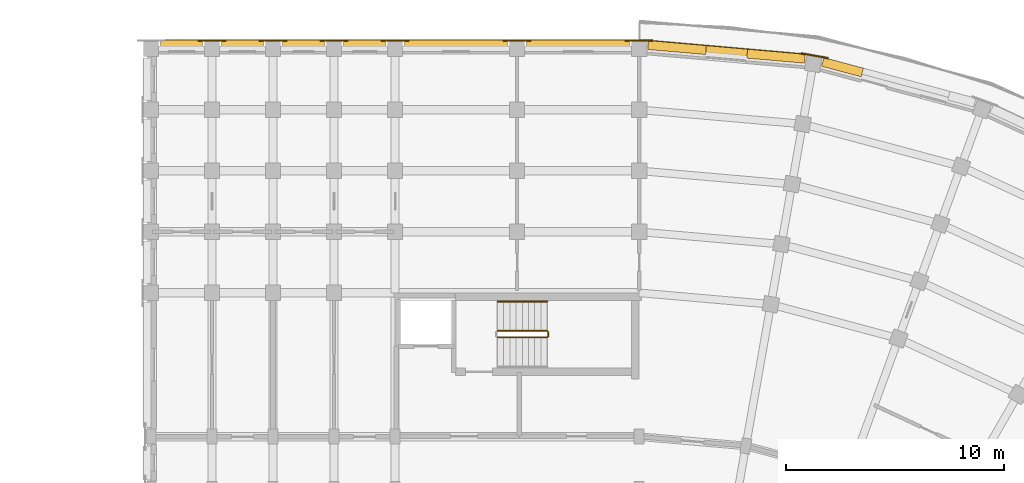
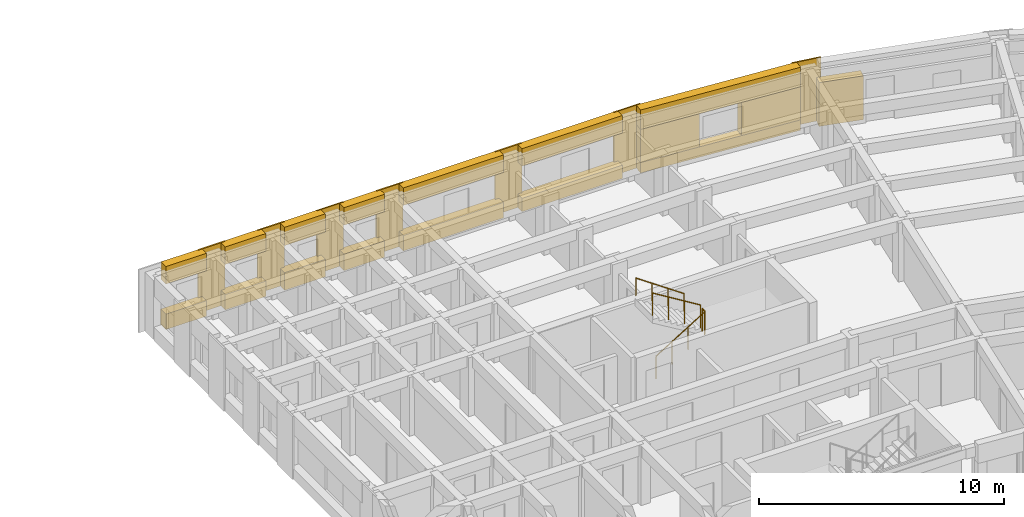
# One storey, part 54 of 57: 24 coverings, 4 railings.
"""IFC4 building model written with IfcOpenShell, lengths in metres."""

from ifc_helpers import new_model, si_unit, direction, frame, origin, origin_2d, place, context, subcontext, project, spatial, polyline, circle, outline, extrude, material, layer, layer_set, type_object, element, save


model = new_model("IFC4")

# Units and contexts
model_context = context("Model", 3, precision=1e-05, world=origin(), true_north=direction((0.0, 1.0)))
body_context = subcontext(model_context, "Body", "Model", "MODEL_VIEW")
ifc_project = project(units=[si_unit("LENGTHUNIT", "METRE"), si_unit("AREAUNIT", "SQUARE_METRE"), si_unit("VOLUMEUNIT", "CUBIC_METRE"), si_unit("PLANEANGLEUNIT", "RADIAN"), si_unit("MASSUNIT", "GRAM", prefix="KILO")], contexts=[model_context])

# Site, building, storey
site_placement = place(None, origin())
site = spatial("IfcSite", under=ifc_project, at=site_placement, CompositionType="ELEMENT")
building_placement = place(site_placement, origin())
building = spatial("IfcBuilding", under=site, at=building_placement, Name="Kiranvali Square Residences", CompositionType="ELEMENT")
storey_placement = place(building_placement, frame((0.0, 0.0, 24.449951171875)))
storey = spatial("IfcBuildingStorey", under=building, at=storey_placement, Name="L07", CompositionType="ELEMENT", Elevation=24.449951171875)

# Coverings
ifc_material_1 = material(Name="Honed Porbandar limestone ashlar facade cladding", Category="masonry")
ifc_layer_1 = layer(ifc_material_1, 0.3798828125)
ifc_layer_set_1 = layer_set([ifc_layer_1], Name="Honed Porbandar limestone ashlar facade cladding")
covering_type_1 = type_object("IfcCoveringType", Name="COV-CLAD-JAMB", PredefinedType="CLADDING", material=ifc_layer_set_1)
covering_1_placement = place(storey_placement, frame((0.0, 0.0, 0.52197265625)))
element("IfcCovering", 1, at=covering_1_placement, inside=storey, type_object=covering_type_1, Name="L07 deep limestone window jamb reveal B-L07-CRV-00.L", PredefinedType="CLADDING", context=body_context, shape_type="SweptSolid", body=[
    extrude(outline(polyline([(120.198486328125, 133.765625), (122.84765625, 133.533935546875), (122.88330078125, 133.94189453125), (120.234130859375, 134.173583984375), (120.198486328125, 133.765625)])), origin(), (0.0, 0.0, 1.0), 1.650146484375),
])
covering_2_placement = place(storey_placement, frame((0.0, 0.0, 0.52197265625)))
element("IfcCovering", 2, at=covering_2_placement, inside=storey, type_object=covering_type_1, Name="L07 deep limestone window jamb reveal B-L07-CRV-00.R", PredefinedType="CLADDING", context=body_context, shape_type="SweptSolid", body=[
    extrude(outline(polyline([(124.740234375, 133.3681640625), (127.389404296875, 133.136474609375), (127.425048828125, 133.54443359375), (124.776123046875, 133.776123046875), (124.740234375, 133.3681640625)])), origin(), (0.0, 0.0, 1.0), 1.650146484375),
])
covering_3_placement = place(storey_placement, origin())
element("IfcCovering", 3, at=covering_3_placement, inside=storey, type_object=covering_type_1, Name="L07 deep limestone window jamb reveal B-L07-CRV-01.L", PredefinedType="CLADDING", context=body_context, shape_type="SweptSolid", body=[
    extrude(outline(polyline([(128.17431640625, 132.998046875), (129.98681640625, 132.512451171875), (130.0927734375, 132.907958984375), (128.2802734375, 133.3935546875), (128.17431640625, 132.998046875)])), origin(), (0.0, 0.0, 1.0), 2.179931640625),
])
ifc_layer_2 = layer(ifc_material_1, 0.06494140625)
ifc_layer_set_2 = layer_set([ifc_layer_2], Name="Honed Porbandar limestone ashlar facade cladding")
covering_type_2 = type_object("IfcCoveringType", Name="COV-CLAD-PIER", PredefinedType="CLADDING", material=ifc_layer_set_2)
covering_4_placement = place(storey_placement, frame((0.0, 0.0, 0.005126953125)))
element("IfcCovering", 4, at=covering_4_placement, inside=storey, type_object=covering_type_2, Name="L07 Classical limestone corner pilaster CLAD-PR-B-L07-A00", PredefinedType="CLADDING", context=body_context, shape_type="SweptSolid", body=[
    extrude(outline(polyline([(120.429931640625, 134.218017578125), (119.169921875, 134.218017578125), (119.169921875, 134.150390625), (120.429931640625, 134.150390625), (120.429931640625, 134.218017578125)])), origin(), (0.0, 0.0, 1.0), 3.139892578125),
])
covering_5_placement = place(storey_placement, frame((0.0, 0.0, 0.005126953125)))
element("IfcCovering", 5, at=covering_5_placement, inside=storey, type_object=covering_type_2, Name="L07 Classical limestone corner pilaster CLAD-PR-B-L07-A01", PredefinedType="CLADDING", context=body_context, shape_type="SweptSolid", body=[
    extrude(outline(polyline([(128.480712890625, 133.4033203125), (127.239990234375, 133.622314453125), (127.228271484375, 133.5556640625), (128.468994140625, 133.3369140625), (128.480712890625, 133.4033203125)])), origin(), (0.0, 0.0, 1.0), 3.139892578125),
])
covering_6_placement = place(storey_placement, frame((0.0, 0.0, 0.005126953125)))
element("IfcCovering", 6, at=covering_6_placement, inside=storey, type_object=covering_type_2, Name="L07 Classical limestone pilaster casing CLAD-PR-B-L07-U56", PredefinedType="CLADDING", context=body_context, shape_type="SweptSolid", body=[
    extrude(outline(polyline([(114.830078125, 134.218017578125), (113.570068359375, 134.218017578125), (113.570068359375, 134.150390625), (114.830078125, 134.150390625), (114.830078125, 134.218017578125)])), origin(), (0.0, 0.0, 1.0), 3.139892578125),
])
covering_7_placement = place(storey_placement, frame((0.0, 0.0, 0.005126953125)))
element("IfcCovering", 7, at=covering_7_placement, inside=storey, type_object=covering_type_2, Name="L07 Classical limestone pilaster casing CLAD-PR-B-L07-U112", PredefinedType="CLADDING", context=body_context, shape_type="SweptSolid", body=[
    extrude(outline(polyline([(109.22998046875, 134.218017578125), (107.969970703125, 134.218017578125), (107.969970703125, 134.150390625), (109.22998046875, 134.150390625), (109.22998046875, 134.218017578125)])), origin(), (0.0, 0.0, 1.0), 3.139892578125),
])
covering_8_placement = place(storey_placement, frame((0.0, 0.0, 0.005126953125)))
element("IfcCovering", 8, at=covering_8_placement, inside=storey, type_object=covering_type_2, Name="L07 Classical limestone pilaster casing CLAD-PR-B-L07-U140", PredefinedType="CLADDING", context=body_context, shape_type="SweptSolid", body=[
    extrude(outline(polyline([(106.429931640625, 134.218017578125), (105.169921875, 134.218017578125), (105.169921875, 134.150390625), (106.429931640625, 134.150390625), (106.429931640625, 134.218017578125)])), origin(), (0.0, 0.0, 1.0), 3.139892578125),
])
covering_9_placement = place(storey_placement, frame((0.0, 0.0, 0.005126953125)))
element("IfcCovering", 9, at=covering_9_placement, inside=storey, type_object=covering_type_2, Name="L07 Classical limestone pilaster casing CLAD-PR-B-L07-U167", PredefinedType="CLADDING", context=body_context, shape_type="SweptSolid", body=[
    extrude(outline(polyline([(103.6298828125, 134.218017578125), (102.3701171875, 134.218017578125), (102.3701171875, 134.150390625), (103.6298828125, 134.150390625), (103.6298828125, 134.218017578125)])), origin(), (0.0, 0.0, 1.0), 3.139892578125),
])
covering_10_placement = place(storey_placement, frame((0.0, 0.0, 0.005126953125)))
element("IfcCovering", 10, at=covering_10_placement, inside=storey, type_object=covering_type_2, Name="L07 Classical limestone pilaster casing CLAD-PR-B-L07-U195", PredefinedType="CLADDING", context=body_context, shape_type="SweptSolid", body=[
    extrude(outline(polyline([(100.830078125, 134.218017578125), (99.570068359375, 134.218017578125), (99.570068359375, 134.150390625), (100.830078125, 134.150390625), (100.830078125, 134.218017578125)])), origin(), (0.0, 0.0, 1.0), 3.139892578125),
])
ifc_layer_3 = layer(ifc_material_1, 0.360107421875)
ifc_layer_set_3 = layer_set([ifc_layer_3], Name="Honed Porbandar limestone ashlar facade cladding")
covering_type_3 = type_object("IfcCoveringType", Name="COV-CLAD-WALL", PredefinedType="CLADDING", material=ifc_layer_set_3)
covering_11_placement = place(storey_placement, frame((0.0, 0.0, 2.172119140625)))
element("IfcCovering", 11, at=covering_11_placement, inside=storey, type_object=covering_type_3, Name="L07 light limestone spandrel lintel B-L07-CRV-00", PredefinedType="CLADDING", context=body_context, shape_type="SweptSolid", body=[
    extrude(outline(polyline([(120.198486328125, 133.765625), (127.389404296875, 133.136474609375), (127.425048828125, 133.54443359375), (120.234130859375, 134.173583984375), (120.198486328125, 133.765625)])), origin(), (0.0, 0.0, 1.0), 0.972900390625),
])
covering_12_placement = place(storey_placement, frame((0.0, 0.0, 0.005126953125)))
element("IfcCovering", 12, at=covering_12_placement, inside=storey, type_object=covering_type_3, Name="L07 limestone window sill apron B-L07-CRV-00", PredefinedType="CLADDING", context=body_context, shape_type="SweptSolid", body=[
    extrude(outline(polyline([(120.198486328125, 133.765625), (127.389404296875, 133.136474609375), (127.427734375, 133.57421875), (120.23681640625, 134.203369140625), (120.198486328125, 133.765625)])), origin(), (0.0, 0.0, 1.0), 0.516845703125),
])
covering_13_placement = place(storey_placement, frame((0.0, 0.0, 2.27197265625)))
element("IfcCovering", 13, at=covering_13_placement, inside=storey, type_object=covering_type_3, Name="L07 light limestone spandrel lintel B-L07-A1O-0", PredefinedType="CLADDING", context=body_context, shape_type="SweptSolid", body=[
    extrude(outline(polyline([(119.360107421875, 134.199951171875), (114.639892578125, 134.199951171875), (114.639892578125, 133.800537109375), (119.360107421875, 133.800537109375), (119.360107421875, 134.199951171875)])), origin(), (0.0, 0.0, 1.0), 0.873046875),
])
covering_14_placement = place(storey_placement, frame((0.0, 0.0, 0.005126953125)))
element("IfcCovering", 14, at=covering_14_placement, inside=storey, type_object=covering_type_3, Name="L07 limestone window sill apron B-L07-A1O-0", PredefinedType="CLADDING", context=body_context, shape_type="SweptSolid", body=[
    extrude(outline(polyline([(119.360107421875, 134.22998046875), (114.639892578125, 134.22998046875), (114.639892578125, 133.800537109375), (119.360107421875, 133.800537109375), (119.360107421875, 134.22998046875)])), origin(), (0.0, 0.0, 1.0), 0.6669921875),
])
covering_15_placement = place(storey_placement, frame((0.0, 0.0, 2.27197265625)))
element("IfcCovering", 15, at=covering_15_placement, inside=storey, type_object=covering_type_3, Name="L07 light limestone spandrel lintel B-L07-A1O-1", PredefinedType="CLADDING", context=body_context, shape_type="SweptSolid", body=[
    extrude(outline(polyline([(113.760009765625, 134.199951171875), (109.0400390625, 134.199951171875), (109.0400390625, 133.800537109375), (113.760009765625, 133.800537109375), (113.760009765625, 134.199951171875)])), origin(), (0.0, 0.0, 1.0), 0.873046875),
])
covering_16_placement = place(storey_placement, frame((0.0, 0.0, 0.005126953125)))
element("IfcCovering", 16, at=covering_16_placement, inside=storey, type_object=covering_type_3, Name="L07 limestone window sill apron B-L07-A1O-1", PredefinedType="CLADDING", context=body_context, shape_type="SweptSolid", body=[
    extrude(outline(polyline([(113.760009765625, 134.22998046875), (109.0400390625, 134.22998046875), (109.0400390625, 133.800537109375), (113.760009765625, 133.800537109375), (113.760009765625, 134.22998046875)])), origin(), (0.0, 0.0, 1.0), 0.766845703125),
])
covering_17_placement = place(storey_placement, frame((0.0, 0.0, 2.27197265625)))
element("IfcCovering", 17, at=covering_17_placement, inside=storey, type_object=covering_type_3, Name="L07 light limestone spandrel lintel B-L07-A1O-2", PredefinedType="CLADDING", context=body_context, shape_type="SweptSolid", body=[
    extrude(outline(polyline([(108.159912109375, 134.199951171875), (106.239990234375, 134.199951171875), (106.239990234375, 133.800537109375), (108.159912109375, 133.800537109375), (108.159912109375, 134.199951171875)])), origin(), (0.0, 0.0, 1.0), 0.873046875),
])
covering_18_placement = place(storey_placement, frame((0.0, 0.0, 0.005126953125)))
element("IfcCovering", 18, at=covering_18_placement, inside=storey, type_object=covering_type_3, Name="L07 limestone window sill apron B-L07-A1O-2", PredefinedType="CLADDING", context=body_context, shape_type="SweptSolid", body=[
    extrude(outline(polyline([(108.159912109375, 134.22998046875), (106.239990234375, 134.22998046875), (106.239990234375, 133.800537109375), (108.159912109375, 133.800537109375), (108.159912109375, 134.22998046875)])), origin(), (0.0, 0.0, 1.0), 0.81689453125),
])
covering_19_placement = place(storey_placement, frame((0.0, 0.0, 2.22998046875)))
element("IfcCovering", 19, at=covering_19_placement, inside=storey, type_object=covering_type_3, Name="L07 light limestone spandrel lintel B-L07-A1O-3", PredefinedType="CLADDING", context=body_context, shape_type="SweptSolid", body=[
    extrude(outline(polyline([(105.360107421875, 134.199951171875), (103.43994140625, 134.199951171875), (103.43994140625, 133.800537109375), (105.360107421875, 133.800537109375), (105.360107421875, 134.199951171875)])), origin(), (0.0, 0.0, 1.0), 0.9150390625),
])
covering_20_placement = place(storey_placement, frame((0.0, 0.0, 0.005126953125)))
element("IfcCovering", 20, at=covering_20_placement, inside=storey, type_object=covering_type_3, Name="L07 limestone window sill apron B-L07-A1O-3", PredefinedType="CLADDING", context=body_context, shape_type="SweptSolid", body=[
    extrude(outline(polyline([(105.360107421875, 134.22998046875), (103.43994140625, 134.22998046875), (103.43994140625, 133.800537109375), (105.360107421875, 133.800537109375), (105.360107421875, 134.22998046875)])), origin(), (0.0, 0.0, 1.0), 0.875),
])
covering_21_placement = place(storey_placement, frame((0.0, 0.0, 2.27197265625)))
element("IfcCovering", 21, at=covering_21_placement, inside=storey, type_object=covering_type_3, Name="L07 light limestone spandrel lintel B-L07-A1O-4", PredefinedType="CLADDING", context=body_context, shape_type="SweptSolid", body=[
    extrude(outline(polyline([(102.56005859375, 134.199951171875), (100.639892578125, 134.199951171875), (100.639892578125, 133.800537109375), (102.56005859375, 133.800537109375), (102.56005859375, 134.199951171875)])), origin(), (0.0, 0.0, 1.0), 0.873046875),
])
covering_22_placement = place(storey_placement, frame((0.0, 0.0, 0.005126953125)))
element("IfcCovering", 22, at=covering_22_placement, inside=storey, type_object=covering_type_3, Name="L07 limestone window sill apron B-L07-A1O-4", PredefinedType="CLADDING", context=body_context, shape_type="SweptSolid", body=[
    extrude(outline(polyline([(102.56005859375, 134.22998046875), (100.639892578125, 134.22998046875), (100.639892578125, 133.800537109375), (102.56005859375, 133.800537109375), (102.56005859375, 134.22998046875)])), origin(), (0.0, 0.0, 1.0), 0.766845703125),
])
covering_23_placement = place(storey_placement, frame((0.0, 0.0, 2.27197265625)))
element("IfcCovering", 23, at=covering_23_placement, inside=storey, type_object=covering_type_3, Name="L07 light limestone spandrel lintel B-L07-A1O-5", PredefinedType="CLADDING", context=body_context, shape_type="SweptSolid", body=[
    extrude(outline(polyline([(99.760009765625, 134.199951171875), (97.840087890625, 134.199951171875), (97.840087890625, 133.800537109375), (99.760009765625, 133.800537109375), (99.760009765625, 134.199951171875)])), origin(), (0.0, 0.0, 1.0), 0.873046875),
])
covering_24_placement = place(storey_placement, frame((0.0, 0.0, 0.005126953125)))
element("IfcCovering", 24, at=covering_24_placement, inside=storey, type_object=covering_type_3, Name="L07 limestone window sill apron B-L07-A1O-5", PredefinedType="CLADDING", context=body_context, shape_type="SweptSolid", body=[
    extrude(outline(polyline([(99.760009765625, 134.22998046875), (97.840087890625, 134.22998046875), (97.840087890625, 133.800537109375), (99.760009765625, 133.800537109375), (99.760009765625, 134.22998046875)])), origin(), (0.0, 0.0, 1.0), 0.766845703125),
])

# Railings
ifc_material_2 = material(Name="Brushed stainless steel tubular handrail", Category="steel")
railing_type_1 = type_object("IfcRailingType", Name="RL-HANDRAIL-900", PredefinedType="HANDRAIL", material=ifc_material_2)
railing_1_placement = place(storey_placement, frame((115.580078125, 122.199951171875, 1.75)))
element("IfcRailing", 25, at=railing_1_placement, inside=storey, type_object=railing_type_1, Name="L07 ST-B1 stair handrail 2", PredefinedType="HANDRAIL", context=body_context, shape_type="SweptSolid", body=[
    extrude(circle(Radius=0.02392578125, at=origin_2d()), frame((0.0, 0.0, 0.8759765625), z_axis=(-0.82278801735, 0.0, 0.568348377763), x_axis=(0.0, -1.0, 0.0)), (0.0, 0.0, 1.0), 2.77099609375),
    extrude(circle(Radius=0.02099609375, at=origin_2d()), origin(), (0.0, 0.0, 1.0), 0.851806640625),
    extrude(circle(Radius=0.02099609375, at=origin_2d()), frame((-0.760009765625, 0.0, 0.52490234375)), (0.0, 0.0, 1.0), 0.851806640625),
    extrude(circle(Radius=0.02099609375, at=origin_2d()), frame((-1.52001953125, 0.0, 1.050048828125)), (0.0, 0.0, 1.0), 0.851806640625),
    extrude(circle(Radius=0.02099609375, at=origin_2d()), frame((-2.280029296875, 0.0, 1.574951171875)), (0.0, 0.0, 1.0), 0.851806640625),
])
ifc_material_3 = material(Name="Powder-coated architectural bronze balustrade", Category="steel")
railing_type_2 = type_object("IfcRailingType", Name="RL-ST-GUARD-1200", PredefinedType="GUARDRAIL", material=ifc_material_3)
railing_2_placement = place(storey_placement, frame((113.300048828125, 120.550048828125, 0.175048828125)))
element("IfcRailing", 26, at=railing_2_placement, inside=storey, type_object=railing_type_2, Name="L07 ST-B1 stair guard 1", PredefinedType="GUARDRAIL", context=body_context, shape_type="SweptSolid", body=[
    extrude(circle(Radius=0.02392578125, at=origin_2d()), frame((0.0, 0.0, 1.1259765625), z_axis=(0.852190499154, 0.0, 0.523231643875), x_axis=(0.0, 1.0, 0.0)), (0.0, 0.0, 1.0), 2.675537109375),
    extrude(circle(Radius=0.02099609375, at=origin_2d()), origin(), (0.0, 0.0, 1.0), 1.101806640625),
    extrude(circle(Radius=0.02099609375, at=origin_2d()), frame((0.760009765625, 0.0, 0.466552734375)), (0.0, 0.0, 1.0), 1.101806640625),
    extrude(circle(Radius=0.02099609375, at=origin_2d()), frame((1.52001953125, 0.0, 0.933349609375)), (0.0, 0.0, 1.0), 1.101806640625),
    extrude(circle(Radius=0.02099609375, at=origin_2d()), frame((2.280029296875, 0.0, 1.39990234375)), (0.0, 0.0, 1.0), 1.101806640625),
])
railing_3_placement = place(storey_placement, frame((115.6298828125, 120.60009765625, 1.574951171875)))
element("IfcRailing", 27, at=railing_3_placement, inside=storey, type_object=railing_type_2, Name="L07 ST-B1 stair guard 2", PredefinedType="GUARDRAIL", context=body_context, shape_type="SweptSolid", body=[
    extrude(circle(Radius=0.02392578125, at=origin_2d()), frame((0.0, 0.0, 1.1259765625), z_axis=(0.0, 1.0, 0.0), x_axis=(-1.0, 0.0, 0.0)), (0.0, 0.0, 1.0), 0.199951171875),
    extrude(circle(Radius=0.02099609375, at=origin_2d()), origin(), (0.0, 0.0, 1.0), 1.101806640625),
    extrude(circle(Radius=0.02099609375, at=origin_2d()), frame((0.0, 0.199951171875, 0.0)), (0.0, 0.0, 1.0), 1.101806640625),
])
railing_4_placement = place(storey_placement, frame((115.580078125, 120.85009765625, 1.75)))
element("IfcRailing", 28, at=railing_4_placement, inside=storey, type_object=railing_type_2, Name="L07 ST-B1 stair guard 3", PredefinedType="GUARDRAIL", context=body_context, shape_type="SweptSolid", body=[
    extrude(circle(Radius=0.02392578125, at=origin_2d()), frame((0.0, 0.0, 1.1259765625), z_axis=(-0.852149810458, 0.0, 0.523297908018), x_axis=(0.0, -1.0, 0.0)), (0.0, 0.0, 1.0), 2.675537109375),
    extrude(circle(Radius=0.02099609375, at=origin_2d()), origin(), (0.0, 0.0, 1.0), 1.101806640625),
    extrude(circle(Radius=0.02099609375, at=origin_2d()), frame((-0.760009765625, 0.0, 0.466796875)), (0.0, 0.0, 1.0), 1.101806640625),
    extrude(circle(Radius=0.02099609375, at=origin_2d()), frame((-1.52001953125, 0.0, 0.933349609375)), (0.0, 0.0, 1.0), 1.101806640625),
    extrude(circle(Radius=0.02099609375, at=origin_2d()), frame((-2.280029296875, 0.0, 1.400146484375)), (0.0, 0.0, 1.0), 1.101806640625),
])

save(model, "model.ifc")
